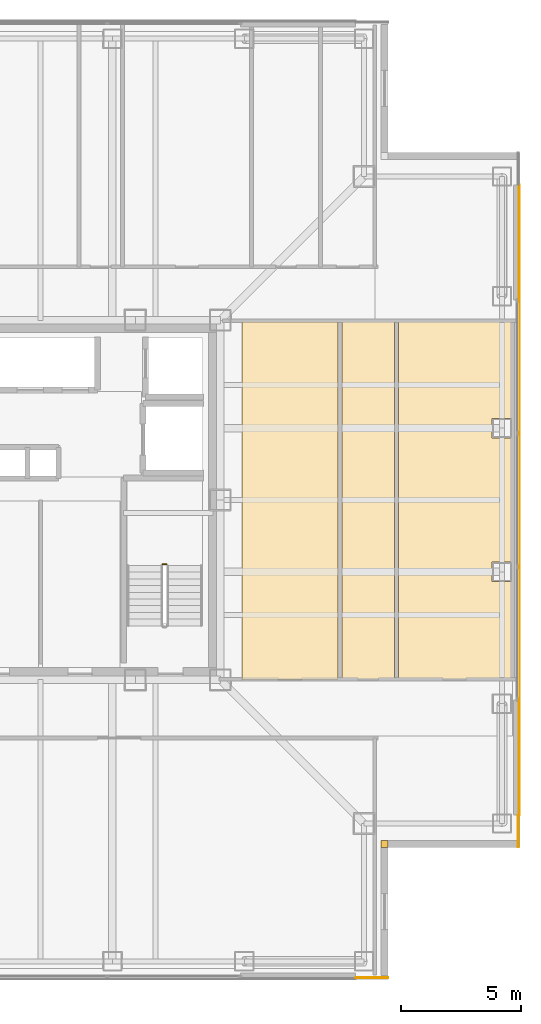
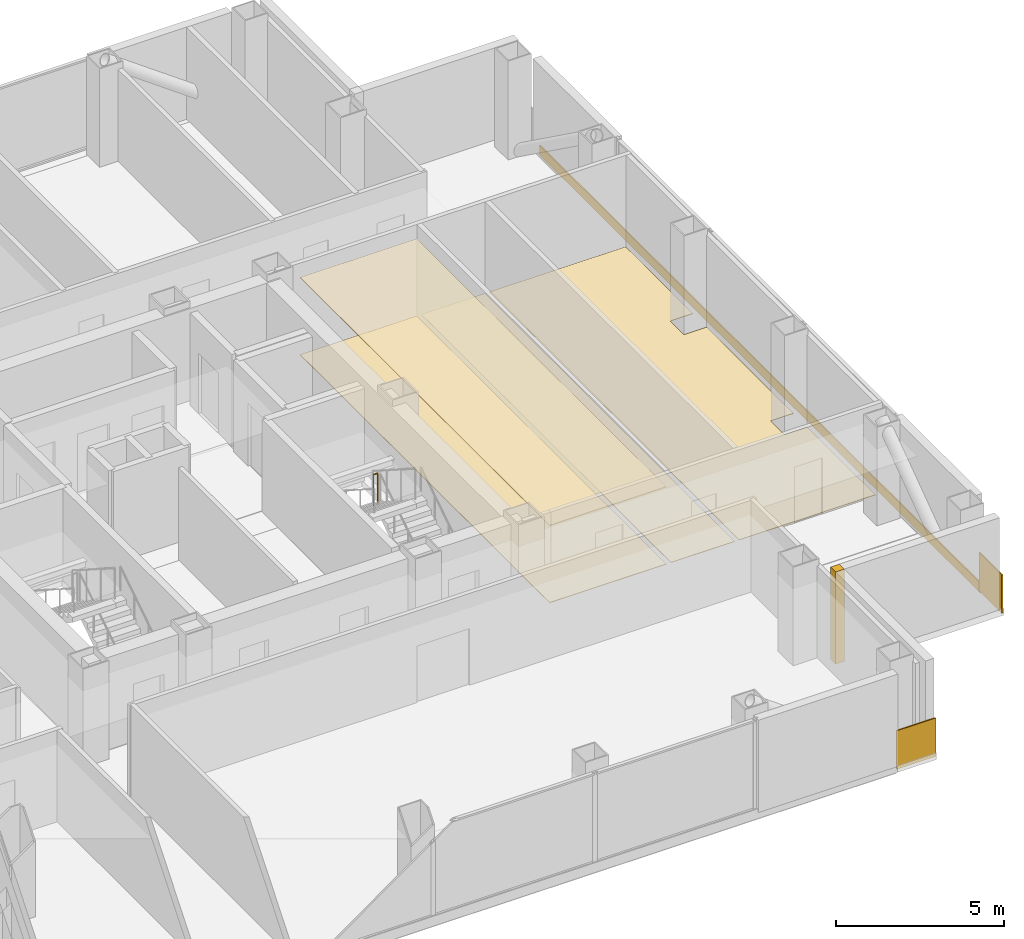
# One storey, part 15 of 16: 8 coverings, 1 railing.
"""IFC4 building model written with IfcOpenShell, lengths in metres."""

from ifc_helpers import new_model, si_unit, direction, frame, frame_2d, origin, origin_2d, place, context, subcontext, project, spatial, polyline, rectangle, circle, outline, extrude, material, layer, layer_set, type_object, element, save


model = new_model("IFC4")

# Units and contexts
model_context = context("Model", 3, precision=1e-05, world=origin(), true_north=direction((0.0, 1.0)))
body_context = subcontext(model_context, "Body", "Model", "MODEL_VIEW")
ifc_project = project(units=[si_unit("LENGTHUNIT", "METRE"), si_unit("AREAUNIT", "SQUARE_METRE"), si_unit("VOLUMEUNIT", "CUBIC_METRE"), si_unit("PLANEANGLEUNIT", "RADIAN"), si_unit("MASSUNIT", "GRAM", prefix="KILO")], contexts=[model_context])

# Site, building, storey
site_placement = place(None, origin())
site = spatial("IfcSite", under=ifc_project, at=site_placement, CompositionType="ELEMENT")
building_placement = place(site_placement, origin())
building = spatial("IfcBuilding", under=site, at=building_placement, Name="Trevonay Congress Spire", CompositionType="ELEMENT")
storey_placement = place(building_placement, frame((0.0, 0.0, 180.60009765625)))
storey = spatial("IfcBuildingStorey", under=building, at=storey_placement, Name="L46", CompositionType="ELEMENT", Elevation=180.60009765625)

# Coverings
ifc_material_1 = material(Name="Acoustic Mineral Fibre Board", Category="gypsum")
ifc_layer_1 = layer(ifc_material_1, 0.02490234375, Name="Acoustic Mineral Fibre Board")
ifc_layer_set_1 = layer_set([ifc_layer_1], Name="Acoustic Mineral Fibre Board")
covering_type_1 = type_object("IfcCoveringType", Name="COV-CEIL-ACOUSTIC", PredefinedType="CEILING", material=ifc_layer_set_1)
covering_1_placement = place(storey_placement, frame((0.0, 0.0, 2.809814453125)))
element("IfcCovering", 1, at=covering_1_placement, inside=storey, type_object=covering_type_1, Name="L46 Hearing Catering Pantry acoustic suspended ceiling", PredefinedType="CEILING", context=body_context, shape_type="SweptSolid", body=[
    extrude(outline(polyline([(8.39990234375, -7.47998046875), (12.419921875, -7.47998046875), (12.419921875, 7.419921875), (8.39990234375, 7.419921875), (8.39990234375, -7.47998046875)])), origin(), (0.0, 0.0, 1.0), 0.025146484375),
])
ifc_material_2 = material(Name="Polished Granite Floor Tile", Category="masonry")
ifc_layer_2 = layer(ifc_material_2, 0.02001953125, Name="Polished Granite Floor Tile")
ifc_layer_set_2 = layer_set([ifc_layer_2], Name="Polished Granite Floor Tile")
covering_type_2 = type_object("IfcCoveringType", Name="COV-FLOOR-STONE", PredefinedType="FLOORING", material=ifc_layer_set_2)
covering_2_placement = place(storey_placement, origin())
element("IfcCovering", 2, at=covering_2_placement, inside=storey, type_object=covering_type_2, Name="L46 Hearing Catering Pantry floor finish", PredefinedType="FLOORING", context=body_context, shape_type="SweptSolid", body=[
    extrude(outline(polyline([(8.39990234375, -7.47998046875), (12.419921875, -7.47998046875), (12.419921875, 7.419921875), (8.39990234375, 7.419921875), (8.39990234375, -7.47998046875)])), origin(), (0.0, 0.0, 1.0), 0.02001953125),
])
covering_3_placement = place(storey_placement, origin())
element("IfcCovering", 3, at=covering_3_placement, inside=storey, type_object=covering_type_2, Name="L46 Male Restroom WC floor finish", PredefinedType="FLOORING", context=body_context, shape_type="SweptSolid", body=[
    extrude(outline(polyline([(12.580078125, -7.47998046875), (14.77001953125, -7.47998046875), (14.77001953125, 7.419921875), (12.580078125, 7.419921875), (12.580078125, -7.47998046875)])), origin(), (0.0, 0.0, 1.0), 0.02001953125),
])
covering_4_placement = place(storey_placement, origin())
element("IfcCovering", 4, at=covering_4_placement, inside=storey, type_object=covering_type_2, Name="L46 Floor Supplies and Copy Room floor finish", PredefinedType="FLOORING", context=body_context, shape_type="SweptSolid", body=[
    extrude(outline(polyline([(19.6201171875, -7.47998046875), (14.929931640625, -7.47998046875), (14.929931640625, 7.419921875), (19.6201171875, 7.419921875), (19.6201171875, 3.409912109375), (18.840087890625, 3.409912109375), (18.840087890625, 2.590087890625), (19.6201171875, 2.590087890625), (19.6201171875, -2.590087890625), (18.840087890625, -2.590087890625), (18.840087890625, -3.409912109375), (19.6201171875, -3.409912109375), (19.6201171875, -7.47998046875)])), origin(), (0.0, 0.0, 1.0), 0.02001953125),
])
ifc_material_3 = material(Name="Pale Anodised Aluminium EN AW-6063-T6", Category="aluminium")
ifc_layer_3 = layer(ifc_material_3, 0.0400390625, Name="Pale Anodised Aluminium EN AW-6063-T6")
ifc_layer_set_3 = layer_set([ifc_layer_3], Name="Pale Anodised Aluminium EN AW-6063-T6")
covering_type_3 = type_object("IfcCoveringType", Name="COV-SPANDREL-PALE-METAL", PredefinedType="CLADDING", material=ifc_layer_set_3)
covering_5_placement = place(storey_placement, frame((19.97998046875, -13.14990234375, -0.239990234375), z_axis=(0.0, 0.0, 1.0), x_axis=(0.0, 1.0, 0.0)))
element("IfcCovering", 5, at=covering_5_placement, inside=storey, type_object=covering_type_3, Name="L46 E pale-metal slab-edge spandrel cladding", PredefinedType="CLADDING", context=body_context, shape_type="SweptSolid", body=[
    extrude(rectangle(XDim=26.2998046875, YDim=0.0400390625, at=frame_2d((13.14990234375, 0.0))), origin(), (0.0, 0.0, 1.0), 0.35986328125),
])
covering_6_placement = place(storey_placement, origin())
element("IfcCovering", 6, at=covering_6_placement, inside=storey, type_object=covering_type_3, Name="L46 SE re-entrant notch corner closure trim", PredefinedType="CLADDING", context=body_context, shape_type="SweptSolid", body=[
    extrude(outline(polyline([(14.199951171875, -14.5), (14.5, -14.5), (14.5, -14.199951171875), (14.199951171875, -14.199951171875), (14.199951171875, -14.5)])), origin(), (0.0, 0.0, 1.0), 3.35986328125),
])
for number, where, z_axis, x_axis, name in (
    (7, (19.93994140625, -13.14990234375, -0.150146484375), (0.0, 0.0, 1.0), (0.0, -1.0, 0.0), "L46 SE corner pier spandrel cladding 1"),
    (8, (13.14990234375, -19.93994140625, -0.150146484375), (0.0, 0.0, 1.0), (1.0, 0.0, 0.0), "L46 SE corner pier spandrel cladding 2"),
):
    element("IfcCovering", number, at=place(storey_placement, frame(where, z_axis=z_axis, x_axis=x_axis)), inside=storey, type_object=covering_type_3, Name=name, PredefinedType="CLADDING", context=body_context, shape_type="SweptSolid", body=[
        extrude(rectangle(XDim=1.35009765625, YDim=0.0400390625, at=frame_2d((0.675048828125, 0.0))), origin(), (0.0, 0.0, 1.0), 1.400146484375),
    ])

# Railing
railing_type = type_object("IfcRailingType", Name="RAL-STAIR-GUARD-110", PredefinedType="GUARDRAIL", material=ifc_material_3)
railing_placement = place(storey_placement, frame((5.25, -2.679931640625, 1.7998046875)))
element("IfcRailing", 9, at=railing_placement, inside=storey, type_object=railing_type, Name="L46 ST-2 stair guard 2", PredefinedType="GUARDRAIL", context=body_context, shape_type="SweptSolid", body=[
    extrude(circle(Radius=0.02392578125, at=origin_2d()), frame((0.0, 0.0, 1.1259765625), z_axis=(-1.0, 0.0, 0.0), x_axis=(0.0, -1.0, 0.0)), (0.0, 0.0, 1.0), 0.14990234375),
    extrude(circle(Radius=0.02099609375, at=origin_2d()), origin(), (0.0, 0.0, 1.0), 1.101806640625),
    extrude(circle(Radius=0.02099609375, at=origin_2d()), frame((-0.14990234375, 0.0, 0.0)), (0.0, 0.0, 1.0), 1.101806640625),
])

save(model, "model.ifc")
